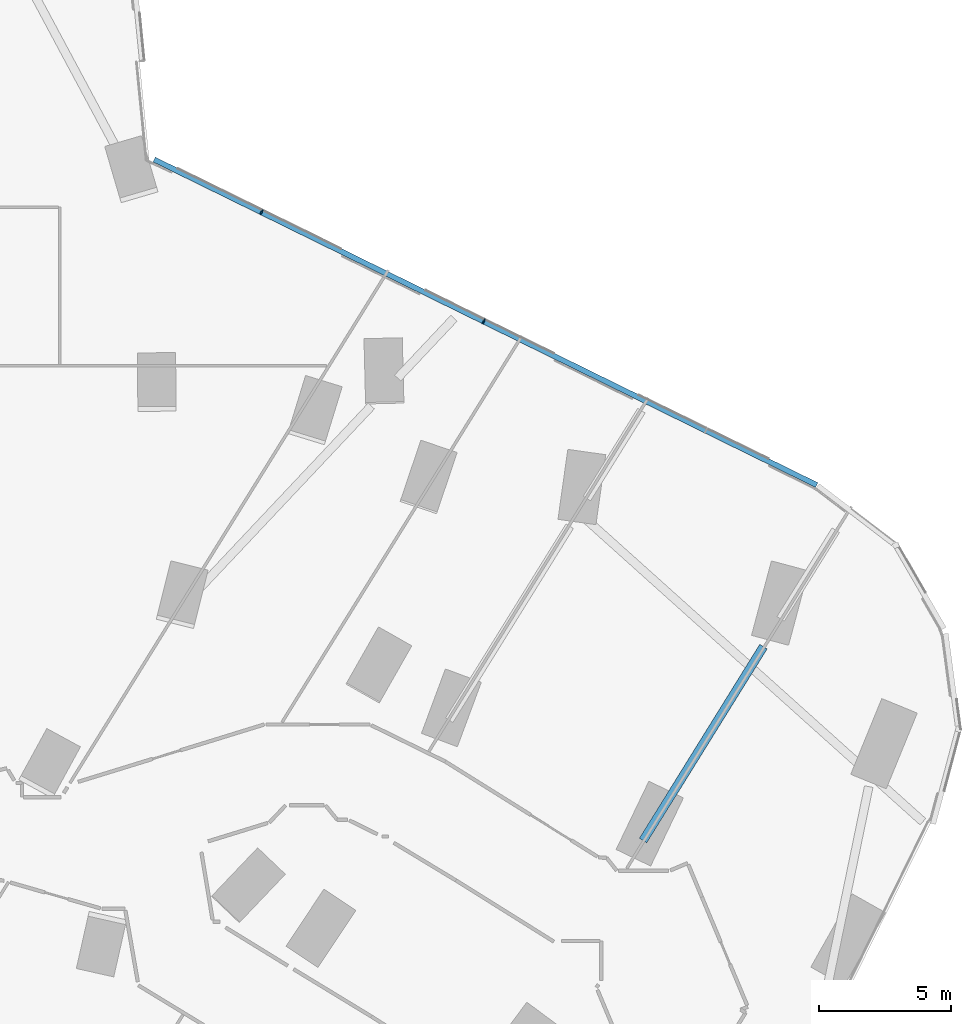
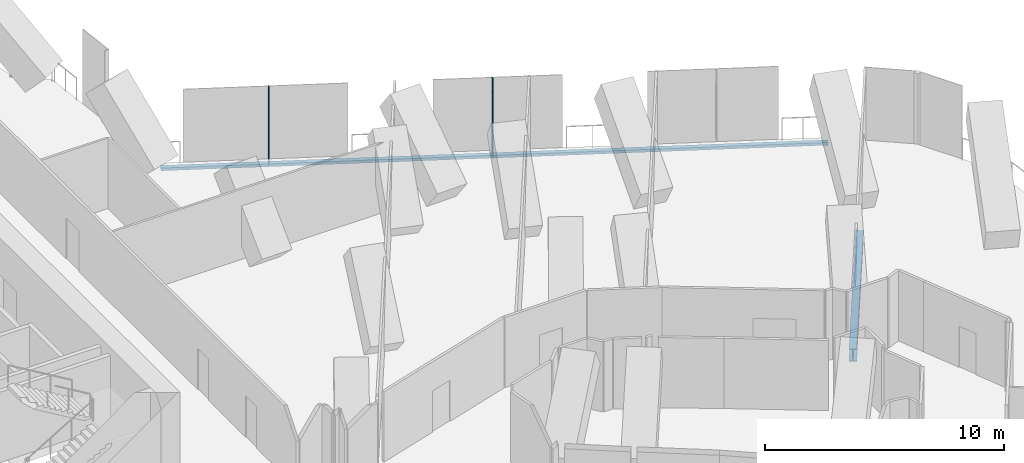
# One storey, part 10 of 31: 3 members, 1 beam, 1 element without a shape of its own.
"""IFC4 building model written with IfcOpenShell, lengths in metres."""

from ifc_helpers import new_model, si_unit, direction, frame, origin, origin_2d, place, context, subcontext, project, spatial, rectangle, i_section, extrude, material, material_profile, profile_set, type_object, element, aggregate, save


model = new_model("IFC4")

# Units and contexts
model_context = context("Model", 3, precision=1e-05, world=origin(), true_north=direction((0.0, 1.0)))
body_context = subcontext(model_context, "Body", "Model", "MODEL_VIEW")
ifc_project = project(units=[si_unit("LENGTHUNIT", "METRE"), si_unit("AREAUNIT", "SQUARE_METRE"), si_unit("VOLUMEUNIT", "CUBIC_METRE"), si_unit("PLANEANGLEUNIT", "RADIAN"), si_unit("MASSUNIT", "GRAM", prefix="KILO")], contexts=[model_context])

# Site, building, storey
site_placement = place(None, origin())
site = spatial("IfcSite", under=ifc_project, at=site_placement, CompositionType="ELEMENT")
building_placement = place(site_placement, origin())
building = spatial("IfcBuilding", under=site, at=building_placement, Name="Orlundy Tower", CompositionType="ELEMENT")
storey_placement = place(building_placement, frame((0.0, 0.0, 54.800048828125)))
storey = spatial("IfcBuildingStorey", under=building, at=storey_placement, Name="L12", CompositionType="ELEMENT", Elevation=54.800048828125)

# Beam
ifc_material_1 = material(Name="Steel ASTM A992 Gr 50", Category="steel")
ifc_material_profile_1 = material_profile(ifc_material_1, i_section(OverallWidth=0.3291015625, OverallDepth=0.635009765625, WebThickness=0.017822265625, FlangeThickness=0.031005859375, at=origin_2d()), Name="W24X162")
ifc_profile_set_1 = profile_set([ifc_material_profile_1], Name="Steel ASTM A992 Gr 50")
beam_type = type_object("IfcBeamType", Name="CANTILEVER GIRDER beam W24X162", PredefinedType="BEAM", material=ifc_profile_set_1)
beam_placement = place(storey_placement, frame((52.6103515625, -10.5595703125, -0.717529296875), z_axis=(-0.527458542831, -0.849580770495, 0.0), x_axis=(0.849580770495, -0.527458542831, 0.0)))
element("IfcBeam", 1, at=beam_placement, inside=storey, type_object=beam_type, Name="Back-span girder C-A5-3 L12", PredefinedType="BEAM", context=body_context, shape_type="SweptSolid", body=[
    extrude(i_section(OverallWidth=0.3291015625, OverallDepth=0.635009765625, WebThickness=0.017822265625, FlangeThickness=0.031005859375, at=origin_2d()), origin(), (0.0, 0.0, 1.0), 8.637939453125),
])

# Curtain wall, members
ifc_material_2 = material(Name="Aluminium bronze anodised", Category="aluminium")
curtain_wall_type = type_object("IfcCurtainWallType", Name="CW5 wall", PredefinedType="NOTDEFINED", material=ifc_material_2)
curtain_wall_placement = place(storey_placement, origin())
curtain_wall = element("IfcCurtainWall", 2, at=curtain_wall_placement, inside=storey, type_object=curtain_wall_type, Name="CW5 run 029", PredefinedType="NOTDEFINED")
ifc_material_3 = material(Name="Aluminium bronze anodised", Category="aluminium")
ifc_material_profile_2 = material_profile(ifc_material_3, rectangle(XDim=0.199951171875, YDim=0.050048828125, at=origin_2d()), Name="CW5 mullion 50x200")
ifc_profile_set_2 = profile_set([ifc_material_profile_2], Name="Aluminium bronze anodised")
member_type_1 = type_object("IfcMemberType", Name="CW5 mullion 50x200", PredefinedType="MULLION", material=ifc_profile_set_2)
member_1_placement = place(storey_placement, frame((33.6162109375, 5.878173828125, -0.400146484375), z_axis=(0.0, 0.0, 1.0), x_axis=(0.440983331684, 0.897515293004, 0.0)))
member_1 = element("IfcMember", 3, at=member_1_placement, type_object=member_type_1, Name="CW5 mullion 51", PredefinedType="MULLION", context=body_context, shape_type="SweptSolid", body=[
    extrude(rectangle(XDim=0.199951171875, YDim=0.050048828125, at=origin_2d()), origin(), (0.0, 0.0, 1.0), 4.0),
])
member_2_placement = place(storey_placement, frame((42.024658203125, 1.746826171875, -0.400146484375), z_axis=(0.0, 0.0, 1.0), x_axis=(0.440983331684, 0.897515293004, 0.0)))
member_2 = element("IfcMember", 4, at=member_2_placement, type_object=member_type_1, Name="CW5 mullion 53", PredefinedType="MULLION", context=body_context, shape_type="SweptSolid", body=[
    extrude(rectangle(XDim=0.199951171875, YDim=0.050048828125, at=origin_2d()), origin(), (0.0, 0.0, 1.0), 4.0),
])
ifc_material_4 = material(Name="Aluminium bronze anodised", Category="aluminium")
ifc_material_profile_3 = material_profile(ifc_material_4, rectangle(XDim=0.199951171875, YDim=0.139892578125, at=origin_2d()), Name="CW5 transom 200x140")
ifc_profile_set_3 = profile_set([ifc_material_profile_3], Name="Aluminium bronze anodised")
member_type_2 = type_object("IfcMemberType", Name="CW5 transom 200x140", PredefinedType="USERDEFINED", material=ifc_profile_set_3)
member_3_placement = place(storey_placement, frame((29.5517578125, 7.875244140625, -0.330078125), z_axis=(0.897511726504, -0.440990590361, 0.0), x_axis=(0.440990590361, 0.897511726504, 0.0)))
member_3 = element("IfcMember", 5, at=member_3_placement, type_object=member_type_2, Name="CW5 transom", ObjectType="TRANSOM", PredefinedType="USERDEFINED", context=body_context, shape_type="SweptSolid", body=[
    extrude(rectangle(XDim=0.199951171875, YDim=0.139892578125, at=origin_2d()), origin(), (0.0, 0.0, 1.0), 27.9345703125),
])
aggregate(curtain_wall, [member_1, member_2, member_3])

save(model, "model.ifc")
